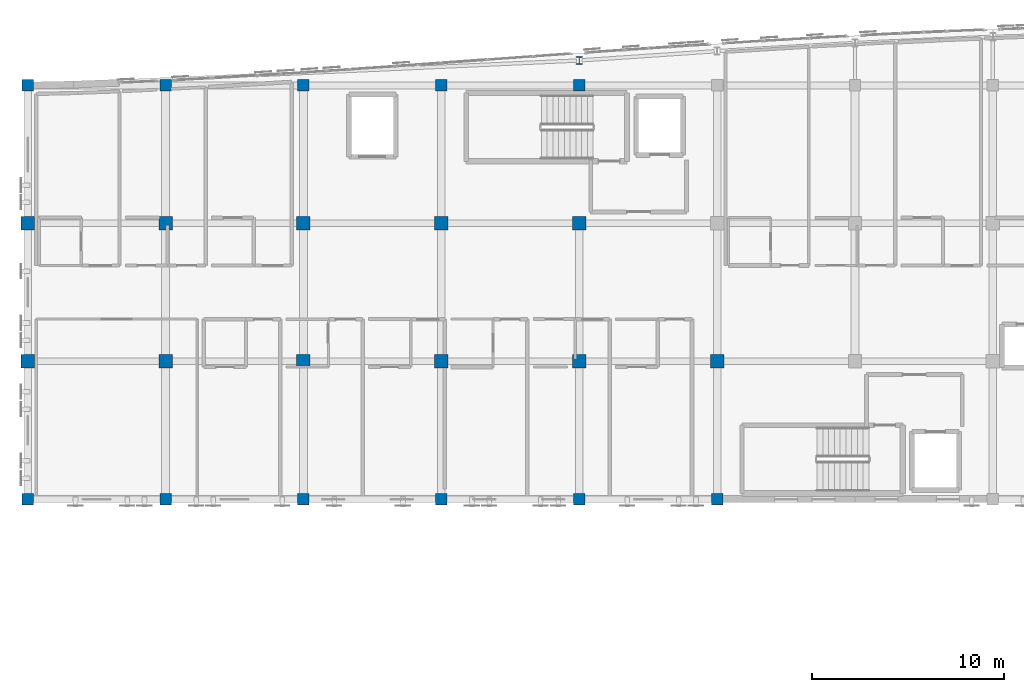
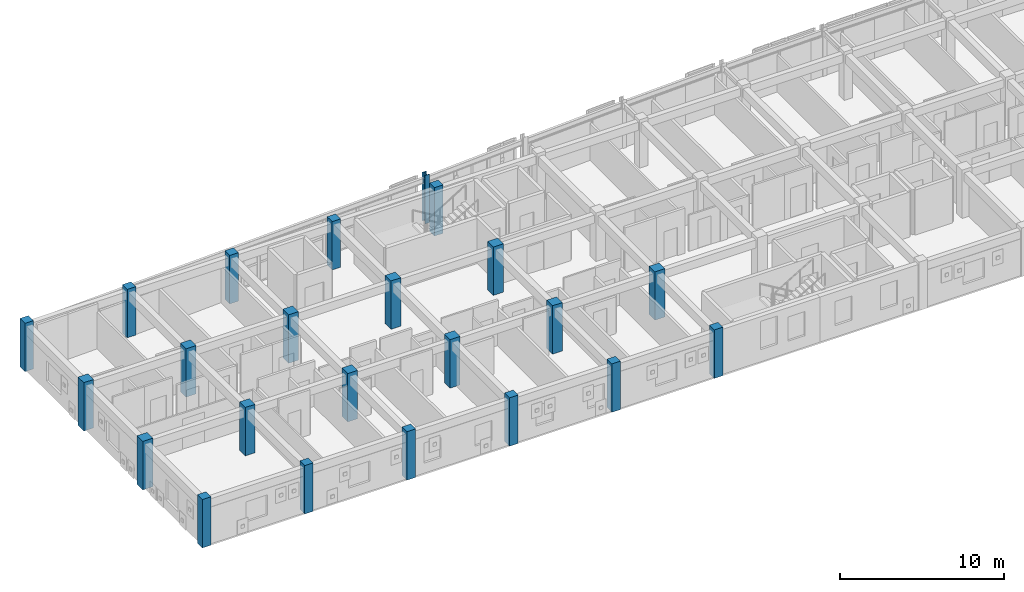
# One storey, part 1 of 50: 23 columns.
"""IFC4 building model written with IfcOpenShell, lengths in metres."""

from ifc_helpers import new_model, si_unit, direction, frame, origin, origin_2d, place, context, subcontext, project, spatial, rectangle, i_section, extrude, material, material_profile, profile_set, type_object, element, save


model = new_model("IFC4")

# Units and contexts
model_context = context("Model", 3, precision=1e-05, world=origin(), true_north=direction((0.0, 1.0)))
body_context = subcontext(model_context, "Body", "Model", "MODEL_VIEW")
ifc_project = project(units=[si_unit("LENGTHUNIT", "METRE"), si_unit("AREAUNIT", "SQUARE_METRE"), si_unit("VOLUMEUNIT", "CUBIC_METRE"), si_unit("PLANEANGLEUNIT", "RADIAN"), si_unit("MASSUNIT", "GRAM", prefix="KILO")], contexts=[model_context])

# Site, building, storey
site_placement = place(None, origin())
site = spatial("IfcSite", under=ifc_project, at=site_placement, CompositionType="ELEMENT")
building_placement = place(site_placement, origin())
building = spatial("IfcBuilding", under=site, at=building_placement, Name="Carrowvane Square Congress Hotel", CompositionType="ELEMENT")
storey_placement = place(building_placement, frame((0.0, 0.0, 22.800048828125)))
storey = spatial("IfcBuildingStorey", under=building, at=storey_placement, Name="L05", CompositionType="ELEMENT", Elevation=22.800048828125)

# Columns
ifc_material_1 = material(Name="Concrete C40/50", Category="concrete")
ifc_material_profile_1 = material_profile(ifc_material_1, rectangle(XDim=0.60009765625, YDim=0.60009765625, at=origin_2d()), Name="RC 600x600")
ifc_profile_set_1 = profile_set([ifc_material_profile_1], Name="Concrete C40/50")
column_type_1 = type_object("IfcColumnType", Name="COL-RC-600", PredefinedType="COLUMN", material=ifc_profile_set_1)
for number, where, z_axis, x_axis, name in (
    (1, (33.199951171875, 91.800048828125, 0.0), (0.0, 0.0, 1.0), (1.0, 0.0, 0.0), "L05 column 4/N"),
    (2, (33.199951171875, 113.39990234375, 0.0), (0.0, 0.0, 1.0), (1.0, 0.0, 0.0), "L05 column 4/R"),
    (3, (40.39990234375, 91.800048828125, 0.0), (0.0, 0.0, 1.0), (1.0, 0.0, 0.0), "L05 column 5/N"),
    (4, (40.39990234375, 113.39990234375, 0.0), (0.0, 0.0, 1.0), (1.0, 0.0, 0.0), "L05 column 5/R"),
    (5, (47.60009765625, 91.800048828125, 0.0), (0.0, 0.0, 1.0), (1.0, 0.0, 0.0), "L05 column 6/N"),
    (6, (47.60009765625, 113.39990234375, 0.0), (0.0, 0.0, 1.0), (1.0, 0.0, 0.0), "L05 column 6/R"),
    (7, (54.800048828125, 91.800048828125, 0.0), (0.0, 0.0, 1.0), (1.0, 0.0, 0.0), "L05 column 7/N"),
    (8, (54.800048828125, 113.39990234375, 0.0), (0.0, 0.0, 1.0), (1.0, 0.0, 0.0), "L05 column 7/R"),
    (9, (62.0, 91.800048828125, 0.0), (0.0, 0.0, 1.0), (1.0, 0.0, 0.0), "L05 column 8/N"),
    (10, (62.0, 113.39990234375, 0.0), (0.0, 0.0, 1.0), (1.0, 0.0, 0.0), "L05 column 8/R"),
    (11, (69.199951171875, 91.800048828125, 0.0), (0.0, 0.0, 1.0), (1.0, 0.0, 0.0), "L05 column 9/N"),
):
    element("IfcColumn", number, at=place(storey_placement, frame(where, z_axis=z_axis, x_axis=x_axis)), inside=storey, type_object=column_type_1, Name=name, PredefinedType="COLUMN", context=body_context, shape_type="SweptSolid", body=[
        extrude(rectangle(XDim=0.60009765625, YDim=0.60009765625, at=origin_2d()), origin(), (0.0, 0.0, 1.0), 3.599853515625),
    ])
ifc_material_2 = material(Name="Concrete C40/50", Category="concrete")
ifc_material_profile_2 = material_profile(ifc_material_2, rectangle(XDim=0.699951171875, YDim=0.699951171875, at=origin_2d()), Name="RC 700x700")
ifc_profile_set_2 = profile_set([ifc_material_profile_2], Name="Concrete C40/50")
column_type_2 = type_object("IfcColumnType", Name="COL-RC-700", PredefinedType="COLUMN", material=ifc_profile_set_2)
for number, where, z_axis, x_axis, name in (
    (12, (33.199951171875, 99.0, 0.0), (0.0, 0.0, 1.0), (1.0, 0.0, 0.0), "L05 column 4/P"),
    (13, (33.199951171875, 106.199951171875, 0.0), (0.0, 0.0, 1.0), (1.0, 0.0, 0.0), "L05 column 4/Q"),
    (14, (40.39990234375, 99.0, 0.0), (0.0, 0.0, 1.0), (1.0, 0.0, 0.0), "L05 column 5/P"),
    (15, (40.39990234375, 106.199951171875, 0.0), (0.0, 0.0, 1.0), (1.0, 0.0, 0.0), "L05 column 5/Q"),
    (16, (47.60009765625, 99.0, 0.0), (0.0, 0.0, 1.0), (1.0, 0.0, 0.0), "L05 column 6/P"),
    (17, (47.60009765625, 106.199951171875, 0.0), (0.0, 0.0, 1.0), (1.0, 0.0, 0.0), "L05 column 6/Q"),
    (18, (54.800048828125, 99.0, 0.0), (0.0, 0.0, 1.0), (1.0, 0.0, 0.0), "L05 column 7/P"),
    (19, (54.800048828125, 106.199951171875, 0.0), (0.0, 0.0, 1.0), (1.0, 0.0, 0.0), "L05 column 7/Q"),
    (20, (62.0, 99.0, 0.0), (0.0, 0.0, 1.0), (1.0, 0.0, 0.0), "L05 column 8/P"),
    (21, (62.0, 106.199951171875, 0.0), (0.0, 0.0, 1.0), (1.0, 0.0, 0.0), "L05 column 8/Q"),
    (22, (69.199951171875, 99.0, 0.0), (0.0, 0.0, 1.0), (1.0, 0.0, 0.0), "L05 column 9/P"),
):
    element("IfcColumn", number, at=place(storey_placement, frame(where, z_axis=z_axis, x_axis=x_axis)), inside=storey, type_object=column_type_2, Name=name, PredefinedType="COLUMN", context=body_context, shape_type="SweptSolid", body=[
        extrude(rectangle(XDim=0.699951171875, YDim=0.699951171875, at=origin_2d()), origin(), (0.0, 0.0, 1.0), 3.599853515625),
    ])
ifc_material_3 = material(Name="Steel S355", Category="steel")
ifc_material_profile_3 = material_profile(ifc_material_3, i_section(OverallWidth=0.300048828125, OverallDepth=0.39990234375, WebThickness=0.013427734375, FlangeThickness=0.02392578125, FilletRadius=0.027099609375, at=origin_2d()), Name="HEB 400")
ifc_profile_set_3 = profile_set([ifc_material_profile_3], Name="Steel S355")
column_type_3 = type_object("IfcColumnType", Name="COL-ST-HEB400", PredefinedType="COLUMN", material=ifc_profile_set_3)
column_placement = place(storey_placement, frame((62.0, 114.7060546875, 0.0), z_axis=(0.0, 0.0, 1.0), x_axis=(1.0, 0.0, 0.0)))
element("IfcColumn", 23, at=column_placement, inside=storey, type_object=column_type_3, Name="L05 column 8/ARC", PredefinedType="COLUMN", context=body_context, shape_type="SweptSolid", body=[
    extrude(i_section(OverallWidth=0.300048828125, OverallDepth=0.39990234375, WebThickness=0.013427734375, FlangeThickness=0.02392578125, FilletRadius=0.027099609375, at=origin_2d()), origin(), (0.0, 0.0, 1.0), 3.599853515625),
])

save(model, "model.ifc")
